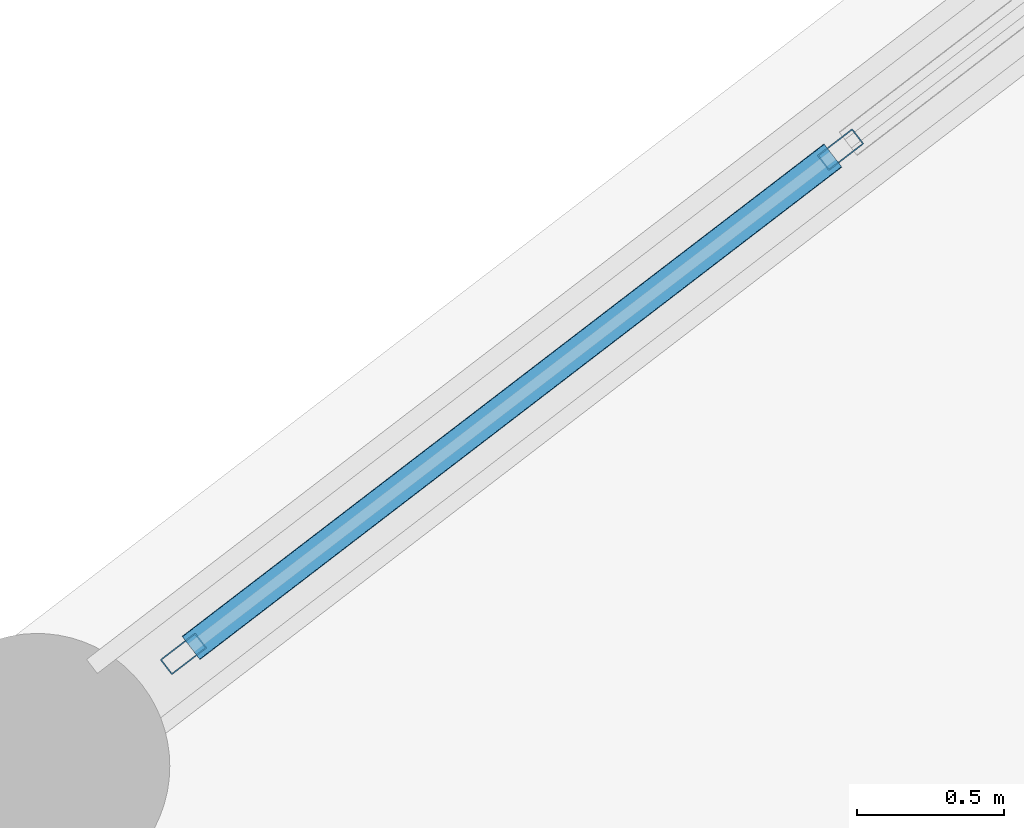
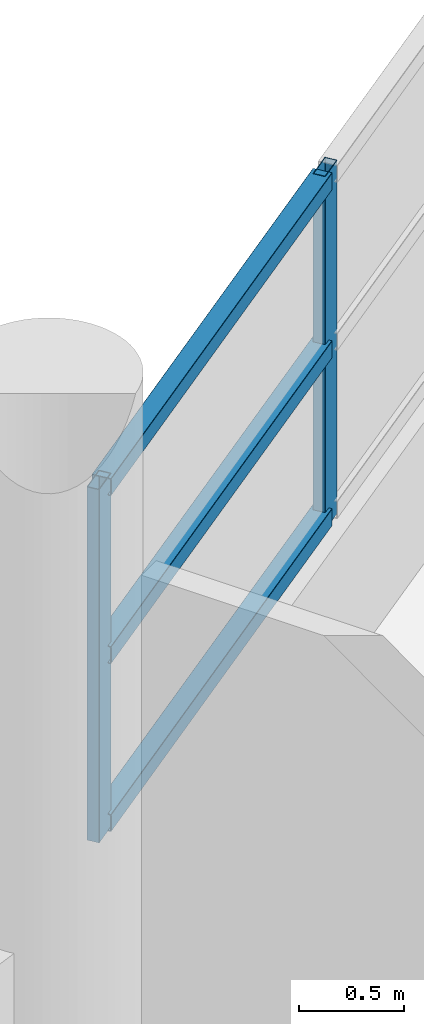
# One storey, part 43 of 108: 5 members, 1 element without a shape of its own.
"""IFC4 building model written with IfcOpenShell, lengths in metres."""

from ifc_helpers import new_model, si_unit, direction, frame, origin, origin_2d, place, context, subcontext, project, spatial, hollow_rectangle, extrude, material, layer, layer_set, material_profile, profile_set, type_object, element, aggregate, save


model = new_model("IFC4")

# Units and contexts
model_context = context("Model", 3, precision=1e-05, world=origin(), true_north=direction((0.0, 1.0)))
body_context = subcontext(model_context, "Body", "Model", "MODEL_VIEW")
ifc_project = project(units=[si_unit("LENGTHUNIT", "METRE"), si_unit("AREAUNIT", "SQUARE_METRE"), si_unit("VOLUMEUNIT", "CUBIC_METRE"), si_unit("PLANEANGLEUNIT", "RADIAN"), si_unit("MASSUNIT", "GRAM", prefix="KILO")], contexts=[model_context])

# Site, building, storey
site_placement = place(None, origin())
site = spatial("IfcSite", under=ifc_project, at=site_placement, CompositionType="ELEMENT")
building_placement = place(site_placement, origin())
building = spatial("IfcBuilding", under=site, at=building_placement, Name="Vespera Passage Community Centre", CompositionType="ELEMENT")
storey_placement = place(building_placement, frame((0.0, 0.0, 12.60009765625)))
storey = spatial("IfcBuildingStorey", under=building, at=storey_placement, Name="L03", CompositionType="ELEMENT", Elevation=12.60009765625)

# Curtain wall, members
ifc_material_1 = material(Name="Anodized aluminium 6063-T6", Category="aluminium")
ifc_layer = layer(ifc_material_1, 0.159912109375)
ifc_layer_set = layer_set([ifc_layer], Name="Anodized aluminium 6063-T6")
curtain_wall_type = type_object("IfcCurtainWallType", Name="CW-45E", PredefinedType="NOTDEFINED", material=ifc_layer_set)
curtain_wall_placement = place(storey_placement, origin())
curtain_wall = element("IfcCurtainWall", 1, at=curtain_wall_placement, inside=storey, type_object=curtain_wall_type, Name="V4 L03 Inner Court Curtain Wall 20", PredefinedType="NOTDEFINED")
ifc_material_2 = material(Name="Anodized aluminium 6063-T6", Category="aluminium")
ifc_material_profile_1 = material_profile(ifc_material_2, hollow_rectangle(XDim=0.06494140625, YDim=0.14990234375, WallThickness=0.00390625, InnerFilletRadius=0.001953125, OuterFilletRadius=0.00390625, at=origin_2d()), Name="ALU150X65X4")
ifc_profile_set_1 = profile_set([ifc_material_profile_1], Name="Anodized aluminium 6063-T6")
member_type_1 = type_object("IfcMemberType", Name="MB-CWM-150E", PredefinedType="MULLION", material=ifc_profile_set_1)
member_1_placement = place(storey_placement, frame((97.096435546875, 33.664794921875, 0.81982421875), z_axis=(0.0, 0.0, 1.0), x_axis=(-0.608755087843, 0.793358205999, 0.0)))
member_1 = element("IfcMember", 2, at=member_1_placement, type_object=member_type_1, Name="CW-45E mullion 1", PredefinedType="MULLION", context=body_context, shape_type="SweptSolid", body=[
    extrude(hollow_rectangle(XDim=0.06494140625, YDim=0.14990234375, WallThickness=0.00390625, InnerFilletRadius=0.001953125, OuterFilletRadius=0.00390625, at=origin_2d()), origin(), (0.0, 0.0, 1.0), 2.049560546875),
])
member_2_placement = place(storey_placement, frame((99.324951171875, 35.374755859375, 0.81982421875), z_axis=(0.0, 0.0, 1.0), x_axis=(-0.608755087843, 0.793358205999, 0.0)))
member_2 = element("IfcMember", 3, at=member_2_placement, type_object=member_type_1, Name="CW-45E mullion 2", PredefinedType="MULLION", context=body_context, shape_type="SweptSolid", body=[
    extrude(hollow_rectangle(XDim=0.06494140625, YDim=0.14990234375, WallThickness=0.00390625, InnerFilletRadius=0.001953125, OuterFilletRadius=0.00390625, at=origin_2d()), origin(), (0.0, 0.0, 1.0), 2.049560546875),
])
ifc_material_3 = material(Name="Anodized aluminium 6063-T6", Category="aluminium")
ifc_material_profile_2 = material_profile(ifc_material_3, hollow_rectangle(XDim=0.10009765625, YDim=0.10009765625, WallThickness=0.00390625, InnerFilletRadius=0.001953125, OuterFilletRadius=0.00390625, at=origin_2d()), Name="ALU100X100X4")
ifc_profile_set_2 = profile_set([ifc_material_profile_2], Name="Anodized aluminium 6063-T6")
member_type_2 = type_object("IfcMemberType", Name="MB-CWT-100E", PredefinedType="USERDEFINED", material=ifc_profile_set_2)
member_3_placement = place(storey_placement, frame((97.1220703125, 33.6845703125, 0.869873046875), z_axis=(0.793397254086, 0.608704195162, 0.0), x_axis=(-0.608704195162, 0.793397254086, 0.0)))
member_3 = element("IfcMember", 4, at=member_3_placement, type_object=member_type_2, Name="CW-45E transom 1.1", ObjectType="TRANSOM", PredefinedType="USERDEFINED", context=body_context, shape_type="SweptSolid", body=[
    extrude(hollow_rectangle(XDim=0.10009765625, YDim=0.10009765625, WallThickness=0.00390625, InnerFilletRadius=0.001953125, OuterFilletRadius=0.00390625, at=origin_2d()), origin(), (0.0, 0.0, 1.0), 2.744140625),
])
member_4_placement = place(storey_placement, frame((97.1220703125, 33.6845703125, 1.844482421875), z_axis=(0.793397254086, 0.608704195162, 0.0), x_axis=(-0.608704195162, 0.793397254086, 0.0)))
member_4 = element("IfcMember", 5, at=member_4_placement, type_object=member_type_2, Name="CW-45E transom 1.2", ObjectType="TRANSOM", PredefinedType="USERDEFINED", context=body_context, shape_type="SweptSolid", body=[
    extrude(hollow_rectangle(XDim=0.10009765625, YDim=0.10009765625, WallThickness=0.00390625, InnerFilletRadius=0.001953125, OuterFilletRadius=0.00390625, at=origin_2d()), origin(), (0.0, 0.0, 1.0), 2.744140625),
])
member_5_placement = place(storey_placement, frame((97.1220703125, 33.6845703125, 2.8193359375), z_axis=(0.793397254086, 0.608704195162, 0.0), x_axis=(-0.608704195162, 0.793397254086, 0.0)))
member_5 = element("IfcMember", 6, at=member_5_placement, type_object=member_type_2, Name="CW-45E transom 1.3", ObjectType="TRANSOM", PredefinedType="USERDEFINED", context=body_context, shape_type="SweptSolid", body=[
    extrude(hollow_rectangle(XDim=0.10009765625, YDim=0.10009765625, WallThickness=0.00390625, InnerFilletRadius=0.001953125, OuterFilletRadius=0.00390625, at=origin_2d()), origin(), (0.0, 0.0, 1.0), 2.744140625),
])
aggregate(curtain_wall, [member_1, member_2, member_3, member_4, member_5])

save(model, "model.ifc")
